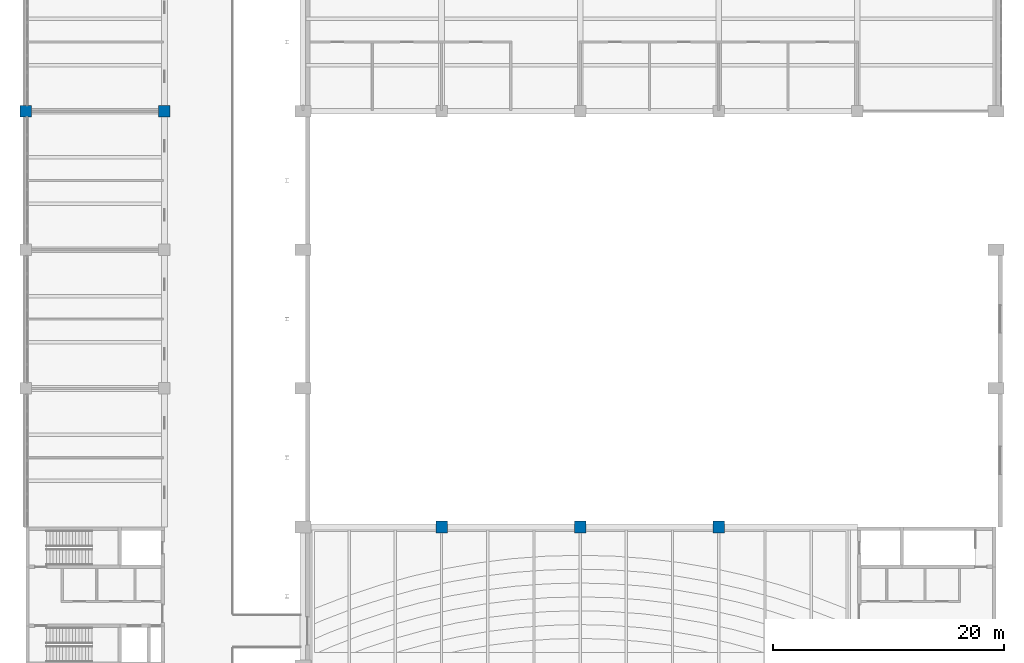
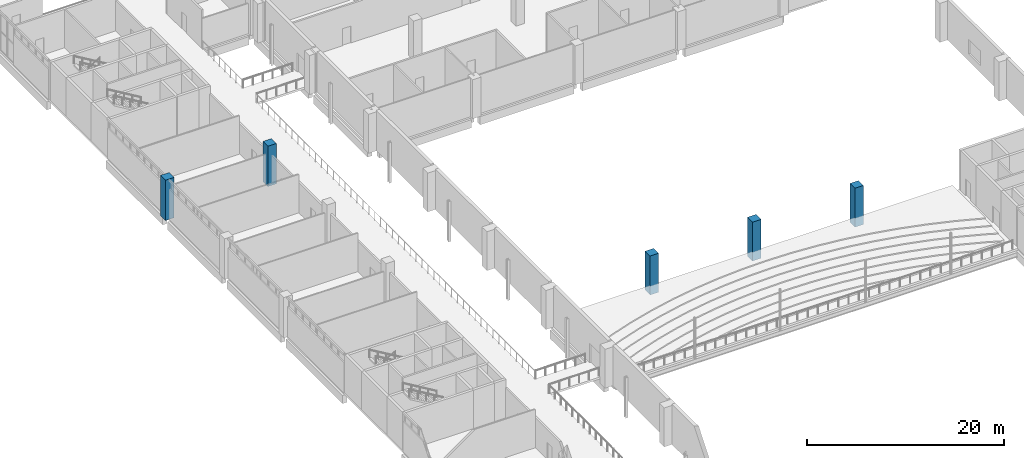
# One storey, part 9 of 69: 5 columns.
"""IFC4 building model written with IfcOpenShell, lengths in metres."""

from ifc_helpers import new_model, si_unit, direction, frame, origin, origin_2d, place, context, subcontext, project, spatial, rectangle, extrude, material, material_profile, profile_set, type_object, element, save


model = new_model("IFC4")

# Units and contexts
model_context = context("Model", 3, precision=1e-05, world=origin(), true_north=direction((0.0, 1.0)))
body_context = subcontext(model_context, "Body", "Model", "MODEL_VIEW")
ifc_project = project(units=[si_unit("LENGTHUNIT", "METRE"), si_unit("AREAUNIT", "SQUARE_METRE"), si_unit("VOLUMEUNIT", "CUBIC_METRE"), si_unit("PLANEANGLEUNIT", "RADIAN"), si_unit("MASSUNIT", "GRAM", prefix="KILO")], contexts=[model_context])

# Site, building, storey
site_placement = place(None, origin())
site = spatial("IfcSite", under=ifc_project, at=site_placement, CompositionType="ELEMENT")
building_placement = place(site_placement, origin())
building = spatial("IfcBuilding", under=site, at=building_placement, Name="Lilac Gate Convention Centre", CompositionType="ELEMENT")
storey_placement = place(building_placement, frame((0.0, 0.0, 12.0)))
storey = spatial("IfcBuildingStorey", under=building, at=storey_placement, Name="L02", CompositionType="ELEMENT", Elevation=12.0)

# Columns
ifc_material = material(Name="Concrete C40", Category="concrete")
ifc_material_profile = material_profile(ifc_material, rectangle(XDim=1.0, YDim=1.0, at=origin_2d()), Name="RC 1000x1000")
ifc_profile_set = profile_set([ifc_material_profile], Name="Concrete C40")
column_type = type_object("IfcColumnType", Name="RC column 1000x1000 C40", PredefinedType="COLUMN", material=ifc_profile_set)
for number, where, z_axis, x_axis, name in (
    (1, (6.0, 198.0, 0.0), (0.0, 0.0, 1.0), (1.0, 0.0, 0.0), "C1 L02 at 1/Q"),
    (2, (18.0, 198.0, 0.0), (0.0, 0.0, 1.0), (1.0, 0.0, 0.0), "C1 L02 at 2/Q"),
):
    element("IfcColumn", number, at=place(storey_placement, frame(where, z_axis=z_axis, x_axis=x_axis)), inside=storey, type_object=column_type, Name=name, PredefinedType="COLUMN", context=body_context, shape_type="SweptSolid", body=[
        extrude(rectangle(XDim=1.0, YDim=1.0, at=origin_2d()), origin(), (0.0, 0.0, 1.0), 5.0),
    ])
for number, where, z_axis, x_axis, name in (
    (3, (42.0, 162.0, 0.0), (0.0, 0.0, 1.0), (1.0, 0.0, 0.0), "C1 L02 at 4/M"),
    (4, (54.0, 162.0, 0.0), (0.0, 0.0, 1.0), (1.0, 0.0, 0.0), "C1 L02 at 5/M"),
    (5, (66.0, 162.0, 0.0), (0.0, 0.0, 1.0), (1.0, 0.0, 0.0), "C1 L02 at 6/M"),
):
    element("IfcColumn", number, at=place(storey_placement, frame(where, z_axis=z_axis, x_axis=x_axis)), inside=storey, type_object=column_type, Name=name, PredefinedType="COLUMN", context=body_context, shape_type="SweptSolid", body=[
        extrude(rectangle(XDim=1.0, YDim=1.0, at=origin_2d()), origin(), (0.0, 0.0, 1.0), 4.824951171875),
    ])

save(model, "model.ifc")
